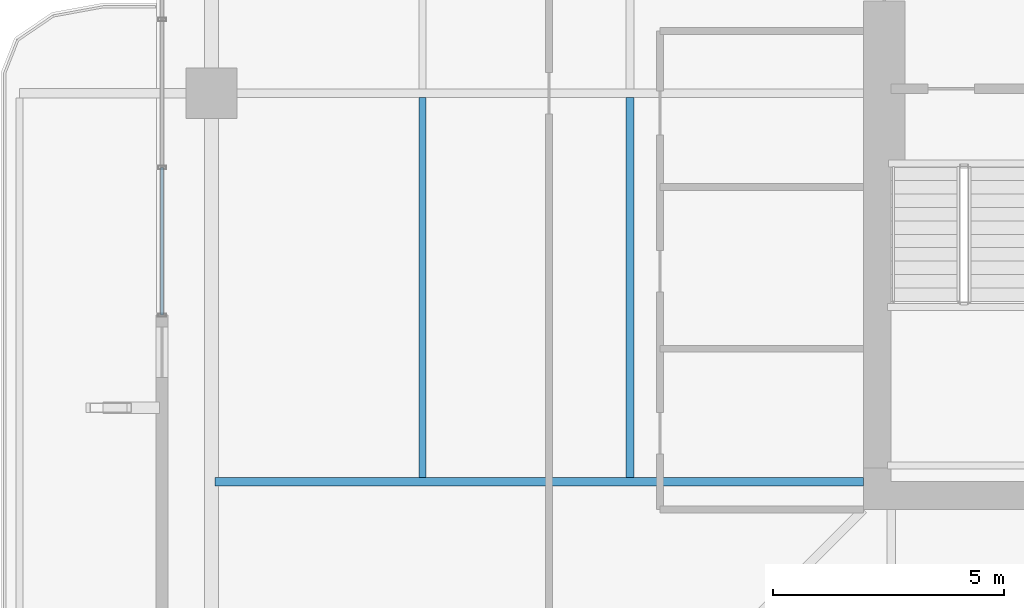
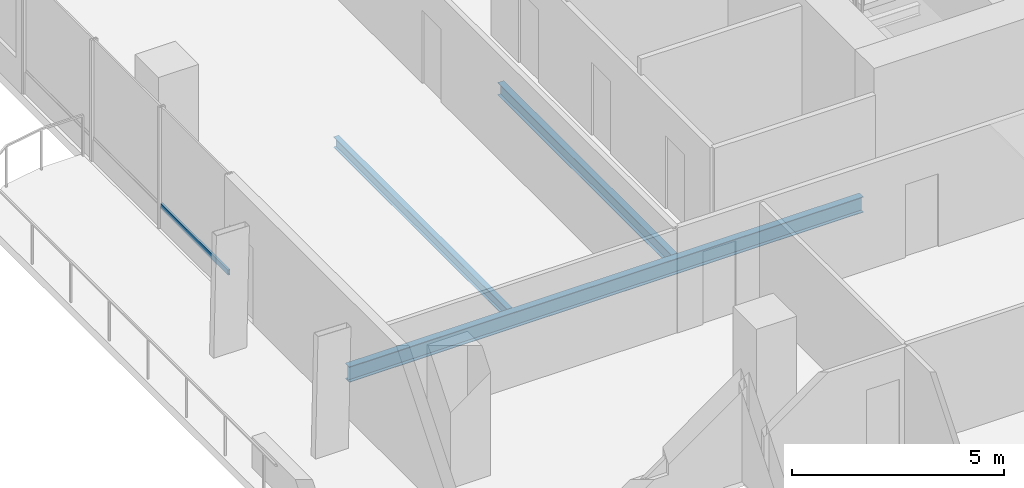
# One storey, part 5 of 24: 3 beams, 1 member, 1 element without a shape of its own.
"""IFC4 building model written with IfcOpenShell, lengths in metres."""

from ifc_helpers import new_model, si_unit, direction, frame, origin, origin_2d, place, context, subcontext, project, spatial, hollow_rectangle, i_section, extrude, material, layer, layer_set, material_profile, profile_set, type_object, element, aggregate, save


model = new_model("IFC4")

# Units and contexts
model_context = context("Model", 3, precision=1e-05, world=origin(), true_north=direction((0.0, 1.0)))
body_context = subcontext(model_context, "Body", "Model", "MODEL_VIEW")
ifc_project = project(units=[si_unit("LENGTHUNIT", "METRE"), si_unit("AREAUNIT", "SQUARE_METRE"), si_unit("VOLUMEUNIT", "CUBIC_METRE"), si_unit("PLANEANGLEUNIT", "RADIAN"), si_unit("MASSUNIT", "GRAM", prefix="KILO")], contexts=[model_context])

# Site, building, storey
site_placement = place(None, origin())
site = spatial("IfcSite", under=ifc_project, at=site_placement, CompositionType="ELEMENT")
building_placement = place(site_placement, origin())
building = spatial("IfcBuilding", under=site, at=building_placement, Name="Belovzor Exchange Tower", CompositionType="ELEMENT")
storey_placement = place(building_placement, frame((0.0, 0.0, 168.300048828125)))
storey = spatial("IfcBuildingStorey", under=building, at=storey_placement, Name="L41", CompositionType="ELEMENT", Elevation=168.300048828125)

# Beams
ifc_material_1 = material(Name="Steel S355", Category="steel")
ifc_material_profile_1 = material_profile(ifc_material_1, i_section(OverallWidth=0.169921875, OverallDepth=0.360107421875, WebThickness=0.008056640625, FlangeThickness=0.0126953125, at=origin_2d()))
ifc_profile_set_1 = profile_set([ifc_material_profile_1], Name="Steel S355")
beam_type_1 = type_object("IfcBeamType", Name="Secondary Infill Floor Joist IPE 360", PredefinedType="BEAM", material=ifc_profile_set_1)
beam_1_placement = place(storey_placement, frame((14.7509765625, 20.4951171875, -0.43505859375), z_axis=(0.0, 1.0, 0.0), x_axis=(-1.0, 0.0, 0.0)))
element("IfcBeam", 1, at=beam_1_placement, inside=storey, type_object=beam_type_1, Name="FJ-360 Secondary Infill Floor Joist IPE 360", PredefinedType="BEAM", context=body_context, shape_type="SweptSolid", body=[
    extrude(i_section(OverallWidth=0.169921875, OverallDepth=0.360107421875, WebThickness=0.008056640625, FlangeThickness=0.0126953125, at=origin_2d()), origin(), (0.0, 0.0, 1.0), 8.2099609375),
])
ifc_material_2 = material(Name="Steel S355", Category="steel")
ifc_material_profile_2 = material_profile(ifc_material_2, i_section(OverallWidth=0.14990234375, OverallDepth=0.300048828125, WebThickness=0.007080078125, FlangeThickness=0.0107421875, at=origin_2d()))
ifc_profile_set_2 = profile_set([ifc_material_profile_2], Name="Steel S355")
beam_type_2 = type_object("IfcBeamType", Name="Secondary Trim Floor Joist IPE 300", PredefinedType="BEAM", material=ifc_profile_set_2)
beam_2_placement = place(storey_placement, frame((10.262939453125, 20.4951171875, -0.405029296875), z_axis=(0.0, 1.0, 0.0), x_axis=(-1.0, 0.0, 0.0)))
element("IfcBeam", 2, at=beam_2_placement, inside=storey, type_object=beam_type_2, Name="FJ-300 Secondary Trim Floor Joist IPE 300", PredefinedType="BEAM", context=body_context, shape_type="SweptSolid", body=[
    extrude(i_section(OverallWidth=0.14990234375, OverallDepth=0.300048828125, WebThickness=0.007080078125, FlangeThickness=0.0107421875, at=origin_2d()), origin(), (0.0, 0.0, 1.0), 8.2099609375),
])

# Curtain wall, member
ifc_material_3 = material(Name="Anodised Aluminium Framing", Category="aluminium")
ifc_layer = layer(ifc_material_3, 0.179931640625)
ifc_layer_set = layer_set([ifc_layer], Name="Anodised Aluminium Framing")
curtain_wall_type = type_object("IfcCurtainWallType", Name="Recessed Loggia Low-Iron Triple-Glazed Curtain Wall", PredefinedType="NOTDEFINED", material=ifc_layer_set)
curtain_wall_placement = place(storey_placement, origin())
curtain_wall = element("IfcCurtainWall", 3, at=curtain_wall_placement, inside=storey, type_object=curtain_wall_type, Name="CW3 Recessed Loggia Low-Iron Triple-Glazed Curtain Wall L41", PredefinedType="NOTDEFINED")
ifc_material_4 = material(Name="Steel S355", Category="steel")
ifc_material_profile_3 = material_profile(ifc_material_4, hollow_rectangle(XDim=0.06005859375, YDim=0.14990234375, WallThickness=0.00390625, at=origin_2d()))
ifc_profile_set_3 = profile_set([ifc_material_profile_3], Name="Steel S355")
member_type = type_object("IfcMemberType", Name="Thermally Broken Curtain Wall Transom 150x60", PredefinedType="USERDEFINED", material=ifc_profile_set_3)
member_placement = place(storey_placement, frame((4.6298828125, 24.008056640625, 0.62890625), z_axis=(0.0, 1.0, 0.0), x_axis=(-1.0, 0.0, 0.0)))
member = element("IfcMember", 4, at=member_placement, type_object=member_type, Name="CW-T150 Curtain Wall Transom 1", ObjectType="TRANSOM", PredefinedType="USERDEFINED", context=body_context, shape_type="SweptSolid", body=[
    extrude(hollow_rectangle(XDim=0.06005859375, YDim=0.14990234375, WallThickness=0.00390625, at=origin_2d()), origin(), (0.0, 0.0, 1.0), 3.183837890625),
])
aggregate(curtain_wall, [member])

# Beam
ifc_material_5 = material(Name="Steel S355", Category="steel")
ifc_material_profile_4 = material_profile(ifc_material_5, i_section(OverallWidth=0.18994140625, OverallDepth=0.449951171875, WebThickness=0.009521484375, FlangeThickness=0.0146484375, at=origin_2d()))
ifc_profile_set_4 = profile_set([ifc_material_profile_4], Name="Steel S355")
beam_type_3 = type_object("IfcBeamType", Name="Zone 2-4 Radial Composite Floor Beam IPE 450", PredefinedType="BEAM", material=ifc_profile_set_4)
beam_3_placement = place(storey_placement, frame((19.800048828125, 20.39990234375, -0.47998046875), z_axis=(-1.0, 0.0, 0.0), x_axis=(0.0, -1.0, 0.0)))
element("IfcBeam", 5, at=beam_3_placement, inside=storey, type_object=beam_type_3, Name="FB-450 Zone 2-4 Radial Composite Floor Beam IPE 450", PredefinedType="BEAM", context=body_context, shape_type="SweptSolid", body=[
    extrude(i_section(OverallWidth=0.18994140625, OverallDepth=0.449951171875, WebThickness=0.009521484375, FlangeThickness=0.0146484375, at=origin_2d()), origin(), (0.0, 0.0, 1.0), 14.025146484375),
])

save(model, "model.ifc")
